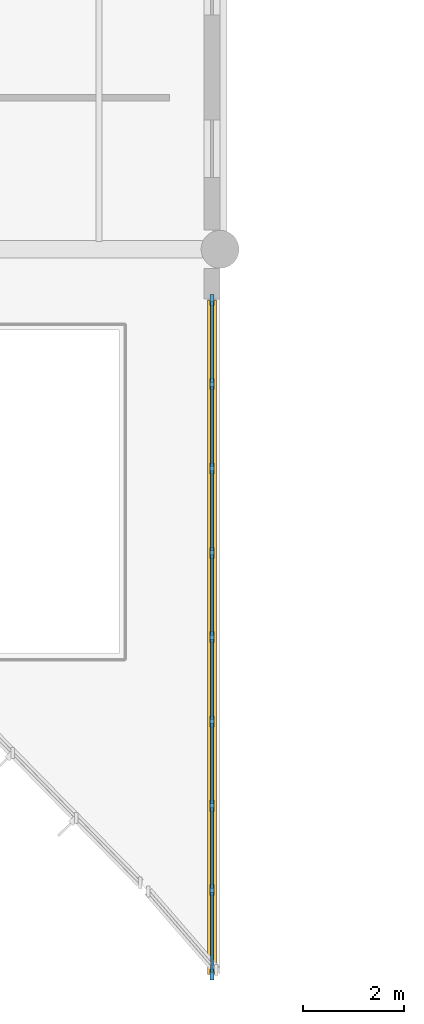
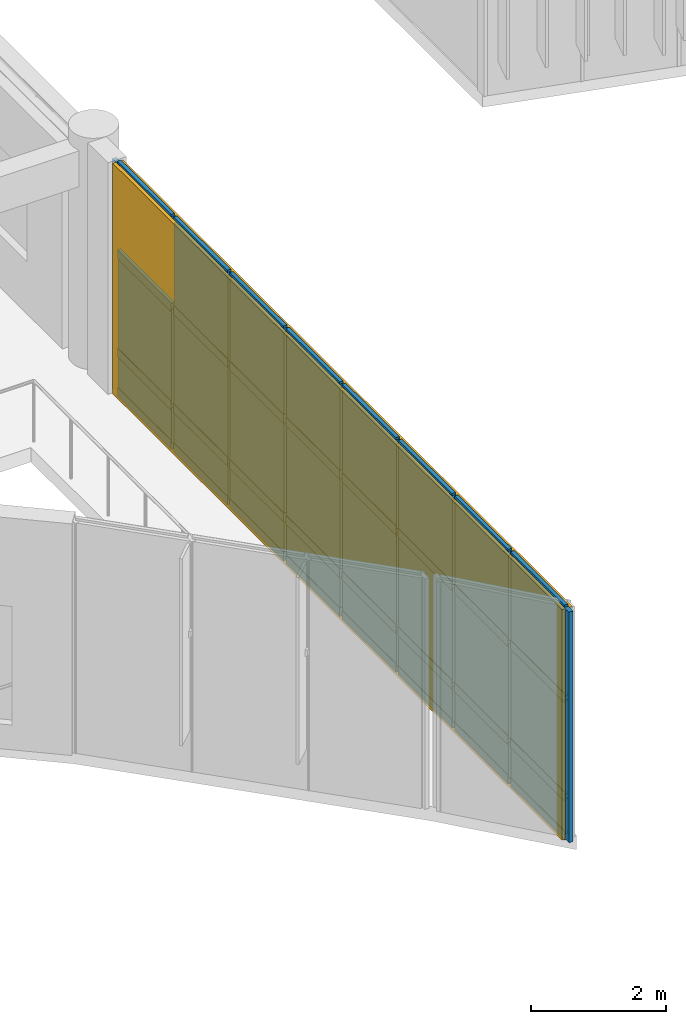
# One storey, part 81 of 122: 41 members, 23 plates, 1 curtain wall.
"""IFC4 building model written with IfcOpenShell, lengths in metres."""

from ifc_helpers import new_model, si_unit, direction, frame, frame_2d, origin, origin_2d, place, context, subcontext, project, spatial, rectangle, extrude, material, layer, layer_set, material_profile, profile_set, type_object, element, aggregate, save


model = new_model("IFC4")

# Units and contexts
model_context = context("Model", 3, precision=1e-05, world=origin(), true_north=direction((0.0, 1.0)))
body_context = subcontext(model_context, "Body", "Model", "MODEL_VIEW")
ifc_project = project(units=[si_unit("LENGTHUNIT", "METRE"), si_unit("AREAUNIT", "SQUARE_METRE"), si_unit("VOLUMEUNIT", "CUBIC_METRE"), si_unit("PLANEANGLEUNIT", "RADIAN"), si_unit("MASSUNIT", "GRAM", prefix="KILO")], contexts=[model_context])

# Member
ifc_material_1 = material(Name="Anodised Bronze Aluminium 6063-T6", Category="aluminium")
ifc_material_profile_1 = material_profile(ifc_material_1, rectangle(XDim=0.070068359375, YDim=0.219970703125, at=origin_2d()), Name="ALU MULLION 70x220")
ifc_profile_set_1 = profile_set([ifc_material_profile_1], Name="Anodised Bronze Aluminium 6063-T6")
member_type_1 = type_object("IfcMemberType", Name="Curtain-Wall Heavy Mullion 70x220", PredefinedType="MULLION", material=ifc_profile_set_1)
site_placement = place(None, origin())
building_placement = place(site_placement, origin())
storey_placement = place(building_placement, frame((0.0, 0.0, 4.800048828125)))
member_1_placement = place(storey_placement, frame((116.840087890625, 1.449951171875, 0.0), z_axis=(0.0, 0.0, 1.0), x_axis=(1.0, 0.0, 0.0)))
member_1 = element("IfcMember", 1, at=member_1_placement, type_object=member_type_1, Name="Mullion CWM-02 CW-V5-RET-E-L01-M01", PredefinedType="MULLION", context=body_context, shape_type="SweptSolid", body=[
    extrude(rectangle(XDim=0.070068359375, YDim=0.219970703125, at=origin_2d()), origin(), (0.0, 0.0, 1.0), 4.179931640625),
])

member_2_placement = place(storey_placement, frame((116.840087890625, 3.118896484375, 0.0), z_axis=(0.0, 0.0, 1.0), x_axis=(1.0, 0.0, 0.0)))
member_2 = element("IfcMember", 2, at=member_2_placement, type_object=member_type_1, Name="Mullion CWM-02 CW-V5-RET-E-L01-M02", PredefinedType="MULLION", context=body_context, shape_type="SweptSolid", body=[
    extrude(rectangle(XDim=0.070068359375, YDim=0.219970703125, at=origin_2d()), origin(), (0.0, 0.0, 1.0), 4.179931640625),
])

member_3_placement = place(storey_placement, frame((116.840087890625, 4.78759765625, 0.0), z_axis=(0.0, 0.0, 1.0), x_axis=(1.0, 0.0, 0.0)))
member_3 = element("IfcMember", 3, at=member_3_placement, type_object=member_type_1, Name="Mullion CWM-02 CW-V5-RET-E-L01-M03", PredefinedType="MULLION", context=body_context, shape_type="SweptSolid", body=[
    extrude(rectangle(XDim=0.070068359375, YDim=0.219970703125, at=origin_2d()), origin(), (0.0, 0.0, 1.0), 4.179931640625),
])

member_4_placement = place(storey_placement, frame((116.840087890625, 6.456298828125, 0.0), z_axis=(0.0, 0.0, 1.0), x_axis=(1.0, 0.0, 0.0)))
member_4 = element("IfcMember", 4, at=member_4_placement, type_object=member_type_1, Name="Mullion CWM-02 CW-V5-RET-E-L01-M04", PredefinedType="MULLION", context=body_context, shape_type="SweptSolid", body=[
    extrude(rectangle(XDim=0.070068359375, YDim=0.219970703125, at=origin_2d()), origin(), (0.0, 0.0, 1.0), 4.179931640625),
])

member_5_placement = place(storey_placement, frame((116.840087890625, 8.125, 0.0), z_axis=(0.0, 0.0, 1.0), x_axis=(1.0, 0.0, 0.0)))
member_5 = element("IfcMember", 5, at=member_5_placement, type_object=member_type_1, Name="Mullion CWM-02 CW-V5-RET-E-L01-M05", PredefinedType="MULLION", context=body_context, shape_type="SweptSolid", body=[
    extrude(rectangle(XDim=0.070068359375, YDim=0.219970703125, at=origin_2d()), origin(), (0.0, 0.0, 1.0), 4.179931640625),
])

member_6_placement = place(storey_placement, frame((116.840087890625, 9.793701171875, 0.0), z_axis=(0.0, 0.0, 1.0), x_axis=(1.0, 0.0, 0.0)))
member_6 = element("IfcMember", 6, at=member_6_placement, type_object=member_type_1, Name="Mullion CWM-02 CW-V5-RET-E-L01-M06", PredefinedType="MULLION", context=body_context, shape_type="SweptSolid", body=[
    extrude(rectangle(XDim=0.070068359375, YDim=0.219970703125, at=origin_2d()), origin(), (0.0, 0.0, 1.0), 4.179931640625),
])

member_7_placement = place(storey_placement, frame((116.840087890625, 11.46240234375, 0.0), z_axis=(0.0, 0.0, 1.0), x_axis=(1.0, 0.0, 0.0)))
member_7 = element("IfcMember", 7, at=member_7_placement, type_object=member_type_1, Name="Mullion CWM-02 CW-V5-RET-E-L01-M07", PredefinedType="MULLION", context=body_context, shape_type="SweptSolid", body=[
    extrude(rectangle(XDim=0.070068359375, YDim=0.219970703125, at=origin_2d()), origin(), (0.0, 0.0, 1.0), 4.179931640625),
])

member_8_placement = place(storey_placement, frame((116.840087890625, 13.13134765625, 0.0), z_axis=(0.0, 0.0, 1.0), x_axis=(1.0, 0.0, 0.0)))
member_8 = element("IfcMember", 8, at=member_8_placement, type_object=member_type_1, Name="Mullion CWM-02 CW-V5-RET-E-L01-M08", PredefinedType="MULLION", context=body_context, shape_type="SweptSolid", body=[
    extrude(rectangle(XDim=0.070068359375, YDim=0.219970703125, at=origin_2d()), origin(), (0.0, 0.0, 1.0), 4.179931640625),
])

member_9_placement = place(storey_placement, frame((116.840087890625, 14.800048828125, 0.0), z_axis=(0.0, 0.0, 1.0), x_axis=(1.0, 0.0, 0.0)))
member_9 = element("IfcMember", 9, at=member_9_placement, type_object=member_type_1, Name="Mullion CWM-02 CW-V5-RET-E-L01-M09", PredefinedType="MULLION", context=body_context, shape_type="SweptSolid", body=[
    extrude(rectangle(XDim=0.070068359375, YDim=0.219970703125, at=origin_2d()), origin(), (0.0, 0.0, 1.0), 4.179931640625),
])

ifc_material_profile_2 = material_profile(ifc_material_1, rectangle(XDim=0.06005859375, YDim=0.159912109375, at=origin_2d()), Name="ALU TRANSOM 60x160")
ifc_profile_set_2 = profile_set([ifc_material_profile_2], Name="Anodised Bronze Aluminium 6063-T6")
member_type_2 = type_object("IfcMemberType", Name="Curtain-Wall Heavy Transom 60x160", PredefinedType="USERDEFINED", material=ifc_profile_set_2)
member_10_placement = place(storey_placement, frame((116.840087890625, 1.485107421875, 0.0400390625), z_axis=(0.0, 1.0, 0.0), x_axis=(-1.0, 0.0, 0.0)))
member_10 = element("IfcMember", 10, at=member_10_placement, type_object=member_type_2, Name="Transom CWT-02 CW-V5-RET-E-L01-T01.1", ObjectType="TRANSOM", PredefinedType="USERDEFINED", context=body_context, shape_type="SweptSolid", body=[
    extrude(rectangle(XDim=0.06005859375, YDim=0.159912109375, at=origin_2d()), origin(), (0.0, 0.0, 1.0), 1.5986328125),
])

member_11_placement = place(storey_placement, frame((116.840087890625, 1.485107421875, 0.75), z_axis=(0.0, 1.0, 0.0), x_axis=(-1.0, 0.0, 0.0)))
member_11 = element("IfcMember", 11, at=member_11_placement, type_object=member_type_2, Name="Transom CWT-02 CW-V5-RET-E-L01-T01.2", ObjectType="TRANSOM", PredefinedType="USERDEFINED", context=body_context, shape_type="SweptSolid", body=[
    extrude(rectangle(XDim=0.06005859375, YDim=0.159912109375, at=origin_2d()), origin(), (0.0, 0.0, 1.0), 1.5986328125),
])

member_12_placement = place(storey_placement, frame((116.840087890625, 1.485107421875, 2.533447265625), z_axis=(0.0, 1.0, 0.0), x_axis=(-1.0, 0.0, 0.0)))
member_12 = element("IfcMember", 12, at=member_12_placement, type_object=member_type_2, Name="Transom CWT-02 CW-V5-RET-E-L01-T01.3", ObjectType="TRANSOM", PredefinedType="USERDEFINED", context=body_context, shape_type="SweptSolid", body=[
    extrude(rectangle(XDim=0.06005859375, YDim=0.159912109375, at=origin_2d()), origin(), (0.0, 0.0, 1.0), 1.5986328125),
])

member_13_placement = place(storey_placement, frame((116.840087890625, 1.485107421875, 4.139892578125), z_axis=(0.0, 1.0, 0.0), x_axis=(-1.0, 0.0, 0.0)))
member_13 = element("IfcMember", 13, at=member_13_placement, type_object=member_type_2, Name="Transom CWT-02 CW-V5-RET-E-L01-T01.4", ObjectType="TRANSOM", PredefinedType="USERDEFINED", context=body_context, shape_type="SweptSolid", body=[
    extrude(rectangle(XDim=0.06005859375, YDim=0.159912109375, at=origin_2d()), origin(), (0.0, 0.0, 1.0), 1.5986328125),
])

member_14_placement = place(storey_placement, frame((116.840087890625, 3.15380859375, 0.0400390625), z_axis=(0.0, 1.0, 0.0), x_axis=(-1.0, 0.0, 0.0)))
member_14 = element("IfcMember", 14, at=member_14_placement, type_object=member_type_2, Name="Transom CWT-02 CW-V5-RET-E-L01-T02.1", ObjectType="TRANSOM", PredefinedType="USERDEFINED", context=body_context, shape_type="SweptSolid", body=[
    extrude(rectangle(XDim=0.06005859375, YDim=0.159912109375, at=origin_2d()), origin(), (0.0, 0.0, 1.0), 1.5986328125),
])

member_15_placement = place(storey_placement, frame((116.840087890625, 3.15380859375, 0.75), z_axis=(0.0, 1.0, 0.0), x_axis=(-1.0, 0.0, 0.0)))
member_15 = element("IfcMember", 15, at=member_15_placement, type_object=member_type_2, Name="Transom CWT-02 CW-V5-RET-E-L01-T02.2", ObjectType="TRANSOM", PredefinedType="USERDEFINED", context=body_context, shape_type="SweptSolid", body=[
    extrude(rectangle(XDim=0.06005859375, YDim=0.159912109375, at=origin_2d()), origin(), (0.0, 0.0, 1.0), 1.5986328125),
])

member_16_placement = place(storey_placement, frame((116.840087890625, 3.15380859375, 2.533447265625), z_axis=(0.0, 1.0, 0.0), x_axis=(-1.0, 0.0, 0.0)))
member_16 = element("IfcMember", 16, at=member_16_placement, type_object=member_type_2, Name="Transom CWT-02 CW-V5-RET-E-L01-T02.3", ObjectType="TRANSOM", PredefinedType="USERDEFINED", context=body_context, shape_type="SweptSolid", body=[
    extrude(rectangle(XDim=0.06005859375, YDim=0.159912109375, at=origin_2d()), origin(), (0.0, 0.0, 1.0), 1.5986328125),
])

member_17_placement = place(storey_placement, frame((116.840087890625, 3.15380859375, 4.139892578125), z_axis=(0.0, 1.0, 0.0), x_axis=(-1.0, 0.0, 0.0)))
member_17 = element("IfcMember", 17, at=member_17_placement, type_object=member_type_2, Name="Transom CWT-02 CW-V5-RET-E-L01-T02.4", ObjectType="TRANSOM", PredefinedType="USERDEFINED", context=body_context, shape_type="SweptSolid", body=[
    extrude(rectangle(XDim=0.06005859375, YDim=0.159912109375, at=origin_2d()), origin(), (0.0, 0.0, 1.0), 1.5986328125),
])

member_18_placement = place(storey_placement, frame((116.840087890625, 4.822509765625, 0.0400390625), z_axis=(0.0, 1.0, 0.0), x_axis=(-1.0, 0.0, 0.0)))
member_18 = element("IfcMember", 18, at=member_18_placement, type_object=member_type_2, Name="Transom CWT-02 CW-V5-RET-E-L01-T03.1", ObjectType="TRANSOM", PredefinedType="USERDEFINED", context=body_context, shape_type="SweptSolid", body=[
    extrude(rectangle(XDim=0.06005859375, YDim=0.159912109375, at=origin_2d()), origin(), (0.0, 0.0, 1.0), 1.598876953125),
])

member_19_placement = place(storey_placement, frame((116.840087890625, 4.822509765625, 0.75), z_axis=(0.0, 1.0, 0.0), x_axis=(-1.0, 0.0, 0.0)))
member_19 = element("IfcMember", 19, at=member_19_placement, type_object=member_type_2, Name="Transom CWT-02 CW-V5-RET-E-L01-T03.2", ObjectType="TRANSOM", PredefinedType="USERDEFINED", context=body_context, shape_type="SweptSolid", body=[
    extrude(rectangle(XDim=0.06005859375, YDim=0.159912109375, at=origin_2d()), origin(), (0.0, 0.0, 1.0), 1.598876953125),
])

member_20_placement = place(storey_placement, frame((116.840087890625, 4.822509765625, 2.533447265625), z_axis=(0.0, 1.0, 0.0), x_axis=(-1.0, 0.0, 0.0)))
member_20 = element("IfcMember", 20, at=member_20_placement, type_object=member_type_2, Name="Transom CWT-02 CW-V5-RET-E-L01-T03.3", ObjectType="TRANSOM", PredefinedType="USERDEFINED", context=body_context, shape_type="SweptSolid", body=[
    extrude(rectangle(XDim=0.06005859375, YDim=0.159912109375, at=origin_2d()), origin(), (0.0, 0.0, 1.0), 1.598876953125),
])

member_21_placement = place(storey_placement, frame((116.840087890625, 4.822509765625, 4.139892578125), z_axis=(0.0, 1.0, 0.0), x_axis=(-1.0, 0.0, 0.0)))
member_21 = element("IfcMember", 21, at=member_21_placement, type_object=member_type_2, Name="Transom CWT-02 CW-V5-RET-E-L01-T03.4", ObjectType="TRANSOM", PredefinedType="USERDEFINED", context=body_context, shape_type="SweptSolid", body=[
    extrude(rectangle(XDim=0.06005859375, YDim=0.159912109375, at=origin_2d()), origin(), (0.0, 0.0, 1.0), 1.598876953125),
])

member_22_placement = place(storey_placement, frame((116.840087890625, 6.4912109375, 0.0400390625), z_axis=(0.0, 1.0, 0.0), x_axis=(-1.0, 0.0, 0.0)))
member_22 = element("IfcMember", 22, at=member_22_placement, type_object=member_type_2, Name="Transom CWT-02 CW-V5-RET-E-L01-T04.1", ObjectType="TRANSOM", PredefinedType="USERDEFINED", context=body_context, shape_type="SweptSolid", body=[
    extrude(rectangle(XDim=0.06005859375, YDim=0.159912109375, at=origin_2d()), origin(), (0.0, 0.0, 1.0), 1.598876953125),
])

member_23_placement = place(storey_placement, frame((116.840087890625, 6.4912109375, 0.75), z_axis=(0.0, 1.0, 0.0), x_axis=(-1.0, 0.0, 0.0)))
member_23 = element("IfcMember", 23, at=member_23_placement, type_object=member_type_2, Name="Transom CWT-02 CW-V5-RET-E-L01-T04.2", ObjectType="TRANSOM", PredefinedType="USERDEFINED", context=body_context, shape_type="SweptSolid", body=[
    extrude(rectangle(XDim=0.06005859375, YDim=0.159912109375, at=origin_2d()), origin(), (0.0, 0.0, 1.0), 1.598876953125),
])

member_24_placement = place(storey_placement, frame((116.840087890625, 6.4912109375, 2.533447265625), z_axis=(0.0, 1.0, 0.0), x_axis=(-1.0, 0.0, 0.0)))
member_24 = element("IfcMember", 24, at=member_24_placement, type_object=member_type_2, Name="Transom CWT-02 CW-V5-RET-E-L01-T04.3", ObjectType="TRANSOM", PredefinedType="USERDEFINED", context=body_context, shape_type="SweptSolid", body=[
    extrude(rectangle(XDim=0.06005859375, YDim=0.159912109375, at=origin_2d()), origin(), (0.0, 0.0, 1.0), 1.598876953125),
])

member_25_placement = place(storey_placement, frame((116.840087890625, 6.4912109375, 4.139892578125), z_axis=(0.0, 1.0, 0.0), x_axis=(-1.0, 0.0, 0.0)))
member_25 = element("IfcMember", 25, at=member_25_placement, type_object=member_type_2, Name="Transom CWT-02 CW-V5-RET-E-L01-T04.4", ObjectType="TRANSOM", PredefinedType="USERDEFINED", context=body_context, shape_type="SweptSolid", body=[
    extrude(rectangle(XDim=0.06005859375, YDim=0.159912109375, at=origin_2d()), origin(), (0.0, 0.0, 1.0), 1.598876953125),
])

member_26_placement = place(storey_placement, frame((116.840087890625, 8.159912109375, 0.0400390625), z_axis=(0.0, 1.0, 0.0), x_axis=(-1.0, 0.0, 0.0)))
member_26 = element("IfcMember", 26, at=member_26_placement, type_object=member_type_2, Name="Transom CWT-02 CW-V5-RET-E-L01-T05.1", ObjectType="TRANSOM", PredefinedType="USERDEFINED", context=body_context, shape_type="SweptSolid", body=[
    extrude(rectangle(XDim=0.06005859375, YDim=0.159912109375, at=origin_2d()), origin(), (0.0, 0.0, 1.0), 1.598876953125),
])

member_27_placement = place(storey_placement, frame((116.840087890625, 8.159912109375, 0.75), z_axis=(0.0, 1.0, 0.0), x_axis=(-1.0, 0.0, 0.0)))
member_27 = element("IfcMember", 27, at=member_27_placement, type_object=member_type_2, Name="Transom CWT-02 CW-V5-RET-E-L01-T05.2", ObjectType="TRANSOM", PredefinedType="USERDEFINED", context=body_context, shape_type="SweptSolid", body=[
    extrude(rectangle(XDim=0.06005859375, YDim=0.159912109375, at=origin_2d()), origin(), (0.0, 0.0, 1.0), 1.598876953125),
])

member_28_placement = place(storey_placement, frame((116.840087890625, 8.159912109375, 2.533447265625), z_axis=(0.0, 1.0, 0.0), x_axis=(-1.0, 0.0, 0.0)))
member_28 = element("IfcMember", 28, at=member_28_placement, type_object=member_type_2, Name="Transom CWT-02 CW-V5-RET-E-L01-T05.3", ObjectType="TRANSOM", PredefinedType="USERDEFINED", context=body_context, shape_type="SweptSolid", body=[
    extrude(rectangle(XDim=0.06005859375, YDim=0.159912109375, at=origin_2d()), origin(), (0.0, 0.0, 1.0), 1.598876953125),
])

member_29_placement = place(storey_placement, frame((116.840087890625, 8.159912109375, 4.139892578125), z_axis=(0.0, 1.0, 0.0), x_axis=(-1.0, 0.0, 0.0)))
member_29 = element("IfcMember", 29, at=member_29_placement, type_object=member_type_2, Name="Transom CWT-02 CW-V5-RET-E-L01-T05.4", ObjectType="TRANSOM", PredefinedType="USERDEFINED", context=body_context, shape_type="SweptSolid", body=[
    extrude(rectangle(XDim=0.06005859375, YDim=0.159912109375, at=origin_2d()), origin(), (0.0, 0.0, 1.0), 1.598876953125),
])

member_30_placement = place(storey_placement, frame((116.840087890625, 9.82861328125, 0.0400390625), z_axis=(0.0, 1.0, 0.0), x_axis=(-1.0, 0.0, 0.0)))
member_30 = element("IfcMember", 30, at=member_30_placement, type_object=member_type_2, Name="Transom CWT-02 CW-V5-RET-E-L01-T06.1", ObjectType="TRANSOM", PredefinedType="USERDEFINED", context=body_context, shape_type="SweptSolid", body=[
    extrude(rectangle(XDim=0.06005859375, YDim=0.159912109375, at=origin_2d()), origin(), (0.0, 0.0, 1.0), 1.598876953125),
])

member_31_placement = place(storey_placement, frame((116.840087890625, 9.82861328125, 0.75), z_axis=(0.0, 1.0, 0.0), x_axis=(-1.0, 0.0, 0.0)))
member_31 = element("IfcMember", 31, at=member_31_placement, type_object=member_type_2, Name="Transom CWT-02 CW-V5-RET-E-L01-T06.2", ObjectType="TRANSOM", PredefinedType="USERDEFINED", context=body_context, shape_type="SweptSolid", body=[
    extrude(rectangle(XDim=0.06005859375, YDim=0.159912109375, at=origin_2d()), origin(), (0.0, 0.0, 1.0), 1.598876953125),
])

member_32_placement = place(storey_placement, frame((116.840087890625, 9.82861328125, 2.533447265625), z_axis=(0.0, 1.0, 0.0), x_axis=(-1.0, 0.0, 0.0)))
member_32 = element("IfcMember", 32, at=member_32_placement, type_object=member_type_2, Name="Transom CWT-02 CW-V5-RET-E-L01-T06.3", ObjectType="TRANSOM", PredefinedType="USERDEFINED", context=body_context, shape_type="SweptSolid", body=[
    extrude(rectangle(XDim=0.06005859375, YDim=0.159912109375, at=origin_2d()), origin(), (0.0, 0.0, 1.0), 1.598876953125),
])

member_33_placement = place(storey_placement, frame((116.840087890625, 9.82861328125, 4.139892578125), z_axis=(0.0, 1.0, 0.0), x_axis=(-1.0, 0.0, 0.0)))
member_33 = element("IfcMember", 33, at=member_33_placement, type_object=member_type_2, Name="Transom CWT-02 CW-V5-RET-E-L01-T06.4", ObjectType="TRANSOM", PredefinedType="USERDEFINED", context=body_context, shape_type="SweptSolid", body=[
    extrude(rectangle(XDim=0.06005859375, YDim=0.159912109375, at=origin_2d()), origin(), (0.0, 0.0, 1.0), 1.598876953125),
])

member_34_placement = place(storey_placement, frame((116.840087890625, 11.49755859375, 0.0400390625), z_axis=(0.0, 1.0, 0.0), x_axis=(-1.0, 0.0, 0.0)))
member_34 = element("IfcMember", 34, at=member_34_placement, type_object=member_type_2, Name="Transom CWT-02 CW-V5-RET-E-L01-T07.1", ObjectType="TRANSOM", PredefinedType="USERDEFINED", context=body_context, shape_type="SweptSolid", body=[
    extrude(rectangle(XDim=0.06005859375, YDim=0.159912109375, at=origin_2d()), origin(), (0.0, 0.0, 1.0), 1.5986328125),
])

member_35_placement = place(storey_placement, frame((116.840087890625, 11.49755859375, 0.75), z_axis=(0.0, 1.0, 0.0), x_axis=(-1.0, 0.0, 0.0)))
member_35 = element("IfcMember", 35, at=member_35_placement, type_object=member_type_2, Name="Transom CWT-02 CW-V5-RET-E-L01-T07.2", ObjectType="TRANSOM", PredefinedType="USERDEFINED", context=body_context, shape_type="SweptSolid", body=[
    extrude(rectangle(XDim=0.06005859375, YDim=0.159912109375, at=origin_2d()), origin(), (0.0, 0.0, 1.0), 1.5986328125),
])

member_36_placement = place(storey_placement, frame((116.840087890625, 11.49755859375, 2.533447265625), z_axis=(0.0, 1.0, 0.0), x_axis=(-1.0, 0.0, 0.0)))
member_36 = element("IfcMember", 36, at=member_36_placement, type_object=member_type_2, Name="Transom CWT-02 CW-V5-RET-E-L01-T07.3", ObjectType="TRANSOM", PredefinedType="USERDEFINED", context=body_context, shape_type="SweptSolid", body=[
    extrude(rectangle(XDim=0.06005859375, YDim=0.159912109375, at=origin_2d()), origin(), (0.0, 0.0, 1.0), 1.5986328125),
])

member_37_placement = place(storey_placement, frame((116.840087890625, 11.49755859375, 4.139892578125), z_axis=(0.0, 1.0, 0.0), x_axis=(-1.0, 0.0, 0.0)))
member_37 = element("IfcMember", 37, at=member_37_placement, type_object=member_type_2, Name="Transom CWT-02 CW-V5-RET-E-L01-T07.4", ObjectType="TRANSOM", PredefinedType="USERDEFINED", context=body_context, shape_type="SweptSolid", body=[
    extrude(rectangle(XDim=0.06005859375, YDim=0.159912109375, at=origin_2d()), origin(), (0.0, 0.0, 1.0), 1.5986328125),
])

member_38_placement = place(storey_placement, frame((116.840087890625, 13.166259765625, 0.0400390625), z_axis=(0.0, 1.0, 0.0), x_axis=(-1.0, 0.0, 0.0)))
member_38 = element("IfcMember", 38, at=member_38_placement, type_object=member_type_2, Name="Transom CWT-02 CW-V5-RET-E-L01-T08.1", ObjectType="TRANSOM", PredefinedType="USERDEFINED", context=body_context, shape_type="SweptSolid", body=[
    extrude(rectangle(XDim=0.06005859375, YDim=0.159912109375, at=origin_2d()), origin(), (0.0, 0.0, 1.0), 1.5986328125),
])

member_39_placement = place(storey_placement, frame((116.840087890625, 13.166259765625, 0.75), z_axis=(0.0, 1.0, 0.0), x_axis=(-1.0, 0.0, 0.0)))
member_39 = element("IfcMember", 39, at=member_39_placement, type_object=member_type_2, Name="Transom CWT-02 CW-V5-RET-E-L01-T08.2", ObjectType="TRANSOM", PredefinedType="USERDEFINED", context=body_context, shape_type="SweptSolid", body=[
    extrude(rectangle(XDim=0.06005859375, YDim=0.159912109375, at=origin_2d()), origin(), (0.0, 0.0, 1.0), 1.5986328125),
])

member_40_placement = place(storey_placement, frame((116.840087890625, 13.166259765625, 2.533447265625), z_axis=(0.0, 1.0, 0.0), x_axis=(-1.0, 0.0, 0.0)))
member_40 = element("IfcMember", 40, at=member_40_placement, type_object=member_type_2, Name="Transom CWT-02 CW-V5-RET-E-L01-T08.3", ObjectType="TRANSOM", PredefinedType="USERDEFINED", context=body_context, shape_type="SweptSolid", body=[
    extrude(rectangle(XDim=0.06005859375, YDim=0.159912109375, at=origin_2d()), origin(), (0.0, 0.0, 1.0), 1.5986328125),
])

member_41_placement = place(storey_placement, frame((116.840087890625, 13.166259765625, 4.139892578125), z_axis=(0.0, 1.0, 0.0), x_axis=(-1.0, 0.0, 0.0)))
member_41 = element("IfcMember", 41, at=member_41_placement, type_object=member_type_2, Name="Transom CWT-02 CW-V5-RET-E-L01-T08.4", ObjectType="TRANSOM", PredefinedType="USERDEFINED", context=body_context, shape_type="SweptSolid", body=[
    extrude(rectangle(XDim=0.06005859375, YDim=0.159912109375, at=origin_2d()), origin(), (0.0, 0.0, 1.0), 1.5986328125),
])

# Plate
ifc_material_2 = material(Name="Double Low-E Acoustic Laminated Glass", Category="glass")
ifc_layer_1 = layer(ifc_material_2, 0.0439453125, Name="Double Low-E Acoustic Laminated Glass")
ifc_layer_set_1 = layer_set([ifc_layer_1], Name="Double Low-E Acoustic Laminated Glass")
plate_type_1 = type_object("IfcPlateType", Name="Acoustic Laminated Low-E Glazing Unit 44", PredefinedType="CURTAIN_PANEL", material=ifc_layer_set_1)
plate_1_placement = place(storey_placement, frame((116.840087890625, 2.284423828125, 0.780029296875), z_axis=(0.0, 0.0, 1.0), x_axis=(0.0, 1.0, 0.0)))
plate_1 = element("IfcPlate", 42, at=plate_1_placement, type_object=plate_type_1, Name="Curtain Panel CWP-01 CW-V5-RET-E-L01-P01.2", PredefinedType="CURTAIN_PANEL", context=body_context, shape_type="SweptSolid", body=[
    extrude(rectangle(XDim=1.598876953125, YDim=0.0439453125, at=origin_2d()), origin(), (0.0, 0.0, 1.0), 1.7236328125),
])

plate_2_placement = place(storey_placement, frame((116.840087890625, 2.284423828125, 2.5634765625), z_axis=(0.0, 0.0, 1.0), x_axis=(0.0, 1.0, 0.0)))
plate_2 = element("IfcPlate", 43, at=plate_2_placement, type_object=plate_type_1, Name="Curtain Panel CWP-01 CW-V5-RET-E-L01-P01.3", PredefinedType="CURTAIN_PANEL", context=body_context, shape_type="SweptSolid", body=[
    extrude(rectangle(XDim=1.598876953125, YDim=0.0439453125, at=origin_2d()), origin(), (0.0, 0.0, 1.0), 1.54638671875),
])

plate_3_placement = place(storey_placement, frame((116.840087890625, 3.953125, 0.780029296875), z_axis=(0.0, 0.0, 1.0), x_axis=(0.0, 1.0, 0.0)))
plate_3 = element("IfcPlate", 44, at=plate_3_placement, type_object=plate_type_1, Name="Curtain Panel CWP-01 CW-V5-RET-E-L01-P02.2", PredefinedType="CURTAIN_PANEL", context=body_context, shape_type="SweptSolid", body=[
    extrude(rectangle(XDim=1.598876953125, YDim=0.0439453125, at=origin_2d()), origin(), (0.0, 0.0, 1.0), 1.7236328125),
])

plate_4_placement = place(storey_placement, frame((116.840087890625, 3.953125, 2.5634765625), z_axis=(0.0, 0.0, 1.0), x_axis=(0.0, 1.0, 0.0)))
plate_4 = element("IfcPlate", 45, at=plate_4_placement, type_object=plate_type_1, Name="Curtain Panel CWP-01 CW-V5-RET-E-L01-P02.3", PredefinedType="CURTAIN_PANEL", context=body_context, shape_type="SweptSolid", body=[
    extrude(rectangle(XDim=1.598876953125, YDim=0.0439453125, at=origin_2d()), origin(), (0.0, 0.0, 1.0), 1.54638671875),
])

plate_5_placement = place(storey_placement, frame((116.840087890625, 5.621826171875, 0.780029296875), z_axis=(0.0, 0.0, 1.0), x_axis=(0.0, 1.0, 0.0)))
plate_5 = element("IfcPlate", 46, at=plate_5_placement, type_object=plate_type_1, Name="Curtain Panel CWP-01 CW-V5-RET-E-L01-P03.2", PredefinedType="CURTAIN_PANEL", context=body_context, shape_type="SweptSolid", body=[
    extrude(rectangle(XDim=1.5986328125, YDim=0.0439453125, at=origin_2d()), origin(), (0.0, 0.0, 1.0), 1.7236328125),
])

plate_6_placement = place(storey_placement, frame((116.840087890625, 5.621826171875, 2.5634765625), z_axis=(0.0, 0.0, 1.0), x_axis=(0.0, 1.0, 0.0)))
plate_6 = element("IfcPlate", 47, at=plate_6_placement, type_object=plate_type_1, Name="Curtain Panel CWP-01 CW-V5-RET-E-L01-P03.3", PredefinedType="CURTAIN_PANEL", context=body_context, shape_type="SweptSolid", body=[
    extrude(rectangle(XDim=1.5986328125, YDim=0.0439453125, at=origin_2d()), origin(), (0.0, 0.0, 1.0), 1.54638671875),
])

plate_7_placement = place(storey_placement, frame((116.840087890625, 7.29052734375, 0.780029296875), z_axis=(0.0, 0.0, 1.0), x_axis=(0.0, 1.0, 0.0)))
plate_7 = element("IfcPlate", 48, at=plate_7_placement, type_object=plate_type_1, Name="Curtain Panel CWP-01 CW-V5-RET-E-L01-P04.2", PredefinedType="CURTAIN_PANEL", context=body_context, shape_type="SweptSolid", body=[
    extrude(rectangle(XDim=1.5986328125, YDim=0.0439453125, at=origin_2d()), origin(), (0.0, 0.0, 1.0), 1.7236328125),
])

plate_8_placement = place(storey_placement, frame((116.840087890625, 7.29052734375, 2.5634765625), z_axis=(0.0, 0.0, 1.0), x_axis=(0.0, 1.0, 0.0)))
plate_8 = element("IfcPlate", 49, at=plate_8_placement, type_object=plate_type_1, Name="Curtain Panel CWP-01 CW-V5-RET-E-L01-P04.3", PredefinedType="CURTAIN_PANEL", context=body_context, shape_type="SweptSolid", body=[
    extrude(rectangle(XDim=1.5986328125, YDim=0.0439453125, at=origin_2d()), origin(), (0.0, 0.0, 1.0), 1.54638671875),
])

plate_9_placement = place(storey_placement, frame((116.840087890625, 8.95947265625, 0.780029296875), z_axis=(0.0, 0.0, 1.0), x_axis=(0.0, 1.0, 0.0)))
plate_9 = element("IfcPlate", 50, at=plate_9_placement, type_object=plate_type_1, Name="Curtain Panel CWP-01 CW-V5-RET-E-L01-P05.2", PredefinedType="CURTAIN_PANEL", context=body_context, shape_type="SweptSolid", body=[
    extrude(rectangle(XDim=1.5986328125, YDim=0.0439453125, at=origin_2d()), origin(), (0.0, 0.0, 1.0), 1.7236328125),
])

plate_10_placement = place(storey_placement, frame((116.840087890625, 8.95947265625, 2.5634765625), z_axis=(0.0, 0.0, 1.0), x_axis=(0.0, 1.0, 0.0)))
plate_10 = element("IfcPlate", 51, at=plate_10_placement, type_object=plate_type_1, Name="Curtain Panel CWP-01 CW-V5-RET-E-L01-P05.3", PredefinedType="CURTAIN_PANEL", context=body_context, shape_type="SweptSolid", body=[
    extrude(rectangle(XDim=1.5986328125, YDim=0.0439453125, at=origin_2d()), origin(), (0.0, 0.0, 1.0), 1.54638671875),
])

plate_11_placement = place(storey_placement, frame((116.840087890625, 10.628173828125, 0.780029296875), z_axis=(0.0, 0.0, 1.0), x_axis=(0.0, 1.0, 0.0)))
plate_11 = element("IfcPlate", 52, at=plate_11_placement, type_object=plate_type_1, Name="Curtain Panel CWP-01 CW-V5-RET-E-L01-P06.2", PredefinedType="CURTAIN_PANEL", context=body_context, shape_type="SweptSolid", body=[
    extrude(rectangle(XDim=1.598876953125, YDim=0.0439453125, at=origin_2d()), origin(), (0.0, 0.0, 1.0), 1.7236328125),
])

plate_12_placement = place(storey_placement, frame((116.840087890625, 10.628173828125, 2.5634765625), z_axis=(0.0, 0.0, 1.0), x_axis=(0.0, 1.0, 0.0)))
plate_12 = element("IfcPlate", 53, at=plate_12_placement, type_object=plate_type_1, Name="Curtain Panel CWP-01 CW-V5-RET-E-L01-P06.3", PredefinedType="CURTAIN_PANEL", context=body_context, shape_type="SweptSolid", body=[
    extrude(rectangle(XDim=1.598876953125, YDim=0.0439453125, at=origin_2d()), origin(), (0.0, 0.0, 1.0), 1.54638671875),
])

plate_13_placement = place(storey_placement, frame((116.840087890625, 12.296875, 0.780029296875), z_axis=(0.0, 0.0, 1.0), x_axis=(0.0, 1.0, 0.0)))
plate_13 = element("IfcPlate", 54, at=plate_13_placement, type_object=plate_type_1, Name="Curtain Panel CWP-01 CW-V5-RET-E-L01-P07.2", PredefinedType="CURTAIN_PANEL", context=body_context, shape_type="SweptSolid", body=[
    extrude(rectangle(XDim=1.598876953125, YDim=0.0439453125, at=origin_2d()), origin(), (0.0, 0.0, 1.0), 1.7236328125),
])

plate_14_placement = place(storey_placement, frame((116.840087890625, 12.296875, 2.5634765625), z_axis=(0.0, 0.0, 1.0), x_axis=(0.0, 1.0, 0.0)))
plate_14 = element("IfcPlate", 55, at=plate_14_placement, type_object=plate_type_1, Name="Curtain Panel CWP-01 CW-V5-RET-E-L01-P07.3", PredefinedType="CURTAIN_PANEL", context=body_context, shape_type="SweptSolid", body=[
    extrude(rectangle(XDim=1.598876953125, YDim=0.0439453125, at=origin_2d()), origin(), (0.0, 0.0, 1.0), 1.54638671875),
])

plate_15_placement = place(storey_placement, frame((116.840087890625, 13.965576171875, 0.780029296875), z_axis=(0.0, 0.0, 1.0), x_axis=(0.0, 1.0, 0.0)))
plate_15 = element("IfcPlate", 56, at=plate_15_placement, type_object=plate_type_1, Name="Curtain Panel CWP-01 CW-V5-RET-E-L01-P08.2", PredefinedType="CURTAIN_PANEL", context=body_context, shape_type="SweptSolid", body=[
    extrude(rectangle(XDim=1.5986328125, YDim=0.0439453125, at=origin_2d()), origin(), (0.0, 0.0, 1.0), 1.7236328125),
])

ifc_material_3 = material(Name="Ceramic-Fritted Tempered Laminated Glass", Category="glass")
ifc_layer_2 = layer(ifc_material_3, 0.0458984375, Name="Ceramic-Fritted Tempered Laminated Glass")
ifc_layer_set_2 = layer_set([ifc_layer_2], Name="Ceramic-Fritted Tempered Laminated Glass")
plate_type_2 = type_object("IfcPlateType", Name="Ceramic-Frit Acoustic Spandrel Glazing 46", PredefinedType="CURTAIN_PANEL", material=ifc_layer_set_2)
plate_16_placement = place(storey_placement, frame((116.840087890625, 2.284423828125, 0.070068359375), z_axis=(0.0, 0.0, 1.0), x_axis=(0.0, 1.0, 0.0)))
plate_16 = element("IfcPlate", 57, at=plate_16_placement, type_object=plate_type_2, Name="Curtain Panel CWP-04 CW-V5-RET-E-L01-P01.1", PredefinedType="CURTAIN_PANEL", context=body_context, shape_type="SweptSolid", body=[
    extrude(rectangle(XDim=1.598876953125, YDim=0.0458984375, at=origin_2d()), origin(), (0.0, 0.0, 1.0), 0.64990234375),
])

plate_17_placement = place(storey_placement, frame((116.840087890625, 3.953125, 0.070068359375), z_axis=(0.0, 0.0, 1.0), x_axis=(0.0, 1.0, 0.0)))
plate_17 = element("IfcPlate", 58, at=plate_17_placement, type_object=plate_type_2, Name="Curtain Panel CWP-04 CW-V5-RET-E-L01-P02.1", PredefinedType="CURTAIN_PANEL", context=body_context, shape_type="SweptSolid", body=[
    extrude(rectangle(XDim=1.598876953125, YDim=0.0458984375, at=origin_2d()), origin(), (0.0, 0.0, 1.0), 0.64990234375),
])

plate_18_placement = place(storey_placement, frame((116.840087890625, 5.621826171875, 0.070068359375), z_axis=(0.0, 0.0, 1.0), x_axis=(0.0, 1.0, 0.0)))
plate_18 = element("IfcPlate", 59, at=plate_18_placement, type_object=plate_type_2, Name="Curtain Panel CWP-04 CW-V5-RET-E-L01-P03.1", PredefinedType="CURTAIN_PANEL", context=body_context, shape_type="SweptSolid", body=[
    extrude(rectangle(XDim=1.5986328125, YDim=0.0458984375, at=origin_2d()), origin(), (0.0, 0.0, 1.0), 0.64990234375),
])

plate_19_placement = place(storey_placement, frame((116.840087890625, 7.29052734375, 0.070068359375), z_axis=(0.0, 0.0, 1.0), x_axis=(0.0, 1.0, 0.0)))
plate_19 = element("IfcPlate", 60, at=plate_19_placement, type_object=plate_type_2, Name="Curtain Panel CWP-04 CW-V5-RET-E-L01-P04.1", PredefinedType="CURTAIN_PANEL", context=body_context, shape_type="SweptSolid", body=[
    extrude(rectangle(XDim=1.5986328125, YDim=0.0458984375, at=origin_2d()), origin(), (0.0, 0.0, 1.0), 0.64990234375),
])

plate_20_placement = place(storey_placement, frame((116.840087890625, 8.95947265625, 0.070068359375), z_axis=(0.0, 0.0, 1.0), x_axis=(0.0, 1.0, 0.0)))
plate_20 = element("IfcPlate", 61, at=plate_20_placement, type_object=plate_type_2, Name="Curtain Panel CWP-04 CW-V5-RET-E-L01-P05.1", PredefinedType="CURTAIN_PANEL", context=body_context, shape_type="SweptSolid", body=[
    extrude(rectangle(XDim=1.5986328125, YDim=0.0458984375, at=origin_2d()), origin(), (0.0, 0.0, 1.0), 0.64990234375),
])

plate_21_placement = place(storey_placement, frame((116.840087890625, 10.628173828125, 0.070068359375), z_axis=(0.0, 0.0, 1.0), x_axis=(0.0, 1.0, 0.0)))
plate_21 = element("IfcPlate", 62, at=plate_21_placement, type_object=plate_type_2, Name="Curtain Panel CWP-04 CW-V5-RET-E-L01-P06.1", PredefinedType="CURTAIN_PANEL", context=body_context, shape_type="SweptSolid", body=[
    extrude(rectangle(XDim=1.598876953125, YDim=0.0458984375, at=origin_2d()), origin(), (0.0, 0.0, 1.0), 0.64990234375),
])

plate_22_placement = place(storey_placement, frame((116.840087890625, 12.296875, 0.070068359375), z_axis=(0.0, 0.0, 1.0), x_axis=(0.0, 1.0, 0.0)))
plate_22 = element("IfcPlate", 63, at=plate_22_placement, type_object=plate_type_2, Name="Curtain Panel CWP-04 CW-V5-RET-E-L01-P07.1", PredefinedType="CURTAIN_PANEL", context=body_context, shape_type="SweptSolid", body=[
    extrude(rectangle(XDim=1.598876953125, YDim=0.0458984375, at=origin_2d()), origin(), (0.0, 0.0, 1.0), 0.64990234375),
])

plate_23_placement = place(storey_placement, frame((116.840087890625, 13.965576171875, 0.070068359375), z_axis=(0.0, 0.0, 1.0), x_axis=(0.0, 1.0, 0.0)))
plate_23 = element("IfcPlate", 64, at=plate_23_placement, type_object=plate_type_2, Name="Curtain Panel CWP-04 CW-V5-RET-E-L01-P08.1", PredefinedType="CURTAIN_PANEL", context=body_context, shape_type="SweptSolid", body=[
    extrude(rectangle(XDim=1.5986328125, YDim=0.0458984375, at=origin_2d()), origin(), (0.0, 0.0, 1.0), 0.64990234375),
])

# Site, building, storey
site = spatial("IfcSite", under=ifc_project, at=site_placement, CompositionType="ELEMENT")
building = spatial("IfcBuilding", under=site, at=building_placement, Name="Tazoul Stagehouse", CompositionType="ELEMENT")
storey = spatial("IfcBuildingStorey", under=building, at=storey_placement, Name="L01", CompositionType="ELEMENT", Elevation=4.800048828125)

# Curtain wall
curtain_wall_type = type_object("IfcCurtainWallType", Name="Crescent Double-Skin Acoustic Curtain Wall", PredefinedType="NOTDEFINED", material=ifc_material_1)
curtain_wall_placement = place(storey_placement, frame((116.840087890625, 1.449951171875, 0.0), z_axis=(0.0, 0.0, 1.0), x_axis=(0.0, 1.0, 0.0)))
curtain_wall = element("IfcCurtainWall", 65, at=curtain_wall_placement, inside=storey, type_object=curtain_wall_type, Name="L01 Curtain Wall CW-01 (CW-V5-RET-E-L01)", PredefinedType="NOTDEFINED", context=body_context, shape_type="SweptSolid", body=[
    extrude(rectangle(XDim=13.35009765625, YDim=0.179931640625, at=frame_2d((6.675048828125, 0.0))), origin(), (0.0, 0.0, 1.0), 4.179931640625),
])

aggregate(curtain_wall, [member_1, member_2, member_3, member_4, member_5, member_6, member_7, member_8, member_9, member_10, member_11, member_12, member_13, plate_16, plate_1, plate_2, member_14, member_15, member_16, member_17, plate_17, plate_3, plate_4, member_18, member_19, member_20, member_21, plate_18, plate_5, plate_6, member_22, member_23, member_24, member_25, plate_19, plate_7, plate_8, member_26, member_27, member_28, member_29, plate_20, plate_9, plate_10, member_30, member_31, member_32, member_33, plate_21, plate_11, plate_12, member_34, member_35, member_36, member_37, plate_22, plate_13, plate_14, member_38, member_39, member_40, member_41, plate_23, plate_15])

save(model, "model.ifc")
